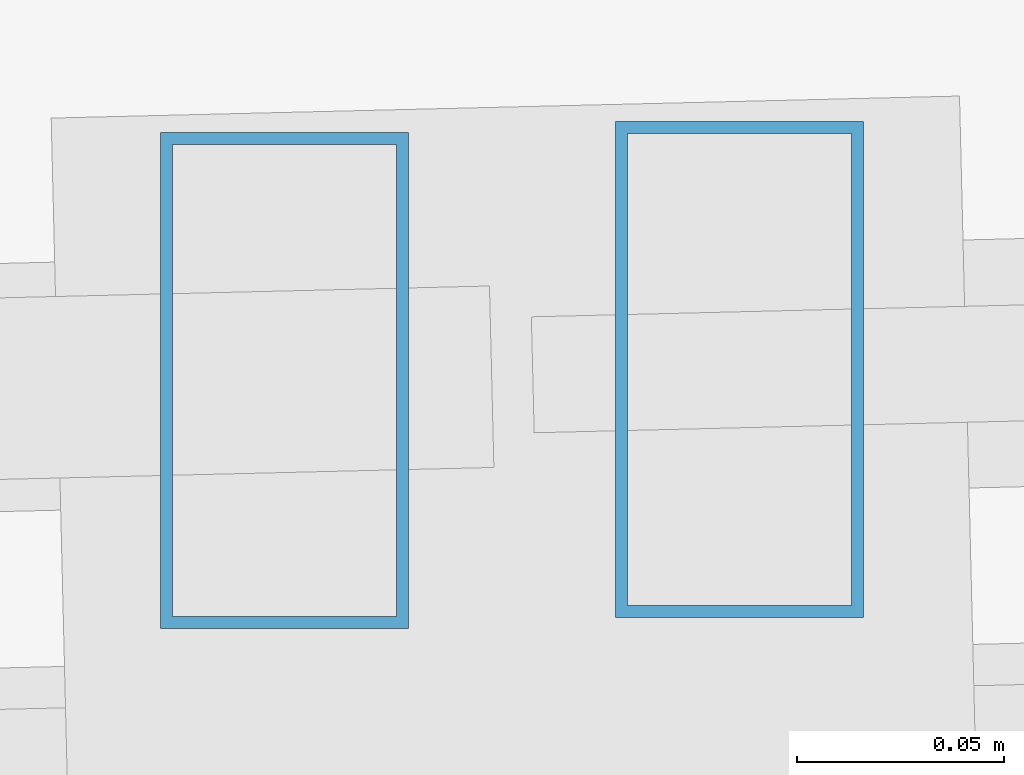
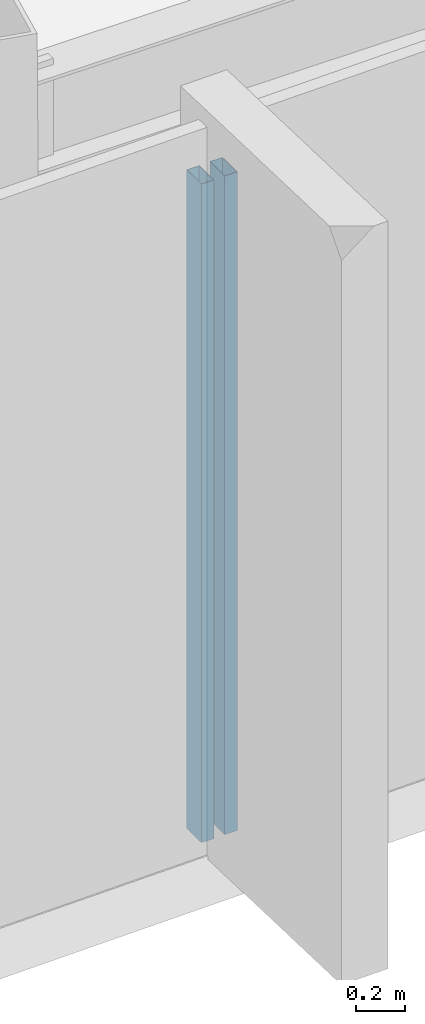
# One storey, part 15 of 44: 2 members, 2 elements without a shape of their own.
"""IFC4 building model written with IfcOpenShell, lengths in metres."""

from ifc_helpers import new_model, si_unit, direction, frame, origin, origin_2d, place, context, subcontext, project, spatial, hollow_rectangle, extrude, source, transform, mapped, material, material_profile, profile_set, type_object, type_shapes, element, aggregate, save


model = new_model("IFC4")

# Units and contexts
model_context = context("Model", 3, precision=1e-05, world=origin(), true_north=direction((0.0, 1.0)))
body_context = subcontext(model_context, "Body", "Model", "MODEL_VIEW")
ifc_project = project(units=[si_unit("LENGTHUNIT", "METRE"), si_unit("AREAUNIT", "SQUARE_METRE"), si_unit("VOLUMEUNIT", "CUBIC_METRE"), si_unit("PLANEANGLEUNIT", "RADIAN"), si_unit("MASSUNIT", "GRAM", prefix="KILO")], contexts=[model_context])

# Site, building, storey
site_placement = place(None, origin())
site = spatial("IfcSite", under=ifc_project, at=site_placement, CompositionType="ELEMENT")
building_placement = place(site_placement, origin())
building = spatial("IfcBuilding", under=site, at=building_placement, Name="Caelisora Broadcast Tower", CompositionType="ELEMENT")
storey_placement = place(building_placement, frame((0.0, 0.0, 280.949951171875)))
storey = spatial("IfcBuildingStorey", under=building, at=storey_placement, Name="L74", CompositionType="ELEMENT", Elevation=280.949951171875)

# Curtain wall, member
ifc_material_1 = material(Name="Unitised Aluminium and Low-E Glass Curtain Wall", Category="glass")
curtain_wall_type_1 = type_object("IfcCurtainWallType", Name="CW-Z5", PredefinedType="NOTDEFINED", material=ifc_material_1)
curtain_wall_1_placement = place(storey_placement, origin())
curtain_wall_1 = element("IfcCurtainWall", 1, at=curtain_wall_1_placement, inside=storey, type_object=curtain_wall_type_1, Name="L74 curtain wall CW-Z5", PredefinedType="NOTDEFINED")
ifc_material_2 = material(Name="Aluminium 6063-T6 Anodised Terracotta Bronze", Category="aluminium")
ifc_material_profile = material_profile(ifc_material_2, hollow_rectangle(XDim=0.06005859375, YDim=0.1201171875, WallThickness=0.0029296875, at=origin_2d()), Name="Aluminium 6063-T6 Anodised Terracotta Bronze")
ifc_profile_set = profile_set([ifc_material_profile], Name="Aluminium 6063-T6 Anodised Terracotta Bronze")
member_type = type_object("IfcMemberType", Name="CWM-04", PredefinedType="MULLION", material=ifc_profile_set)
shared_shape = source(origin(), body_context, "Body", "SweptSolid", [
    extrude(hollow_rectangle(XDim=0.06005859375, YDim=0.1201171875, WallThickness=0.0029296875, at=origin_2d()), origin(), (0.0, 0.0, 1.0), 3.25),
])
type_shapes(member_type, [shared_shape])
member_1_placement = place(storey_placement, frame((44.6923828125, 8.90185546875, 0.0), z_axis=(0.0, 0.0, 1.0), x_axis=(1.0, 0.0, 0.0)))
member_1 = element("IfcMember", 2, at=member_1_placement, type_object=member_type, Name="L74-CW-B05 mullion #3", PredefinedType="MULLION", context=body_context, shape_type="MappedRepresentation", body=[
    mapped(shared_shape, transform((0.0, 0.0, 0.0), scale=1.0)),
])
aggregate(curtain_wall_1, [member_1])

ifc_material_3 = material(Name="Unitised Aluminium Insulated Shadow-Box Spandrel Curtain Wall", Category="aluminium")
curtain_wall_type_2 = type_object("IfcCurtainWallType", Name="CW-SP3", PredefinedType="NOTDEFINED", material=ifc_material_3)
curtain_wall_2_placement = place(storey_placement, origin())
curtain_wall_2 = element("IfcCurtainWall", 3, at=curtain_wall_2_placement, inside=storey, type_object=curtain_wall_type_2, Name="L74 curtain wall CW-SP3", PredefinedType="NOTDEFINED")
member_2_placement = place(storey_placement, frame((44.582275390625, 8.899169921875, 0.0), z_axis=(0.0, 0.0, 1.0), x_axis=(1.0, 0.0, 0.0)))
member_2 = element("IfcMember", 4, at=member_2_placement, type_object=member_type, Name="L74-CW-B06 mullion #0", PredefinedType="MULLION", context=body_context, shape_type="MappedRepresentation", body=[
    mapped(shared_shape, transform((0.0, 0.0, 0.0), scale=1.0)),
])
aggregate(curtain_wall_2, [member_2])

save(model, "model.ifc")
